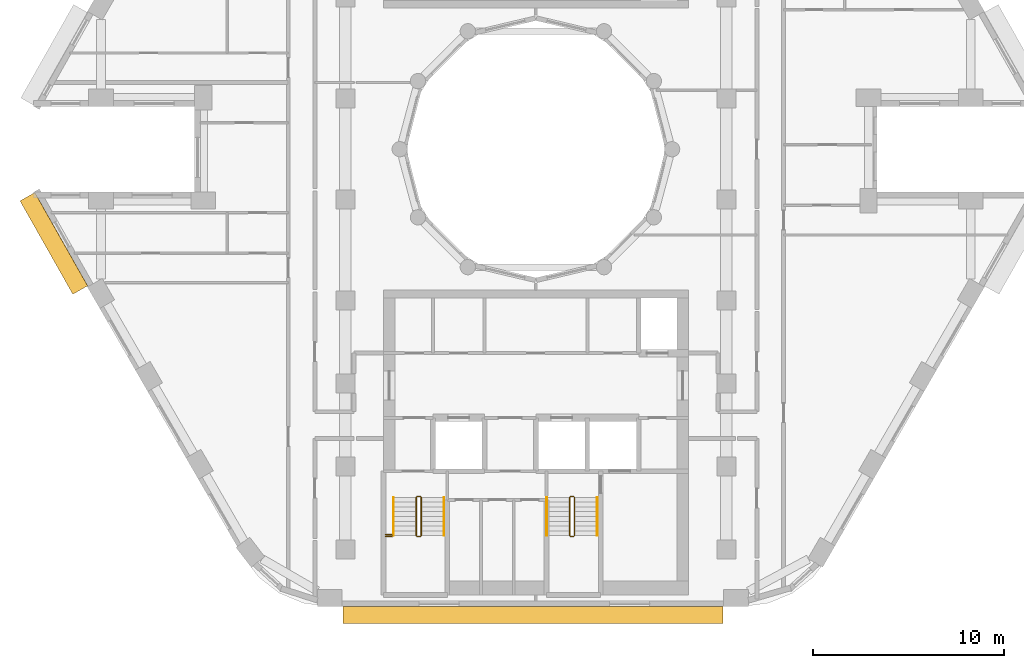
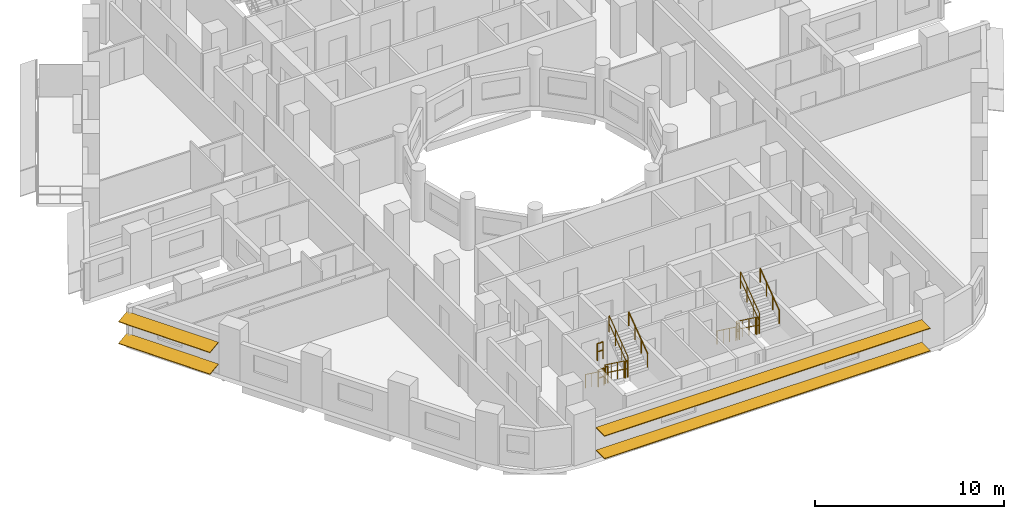
# One storey, part 11 of 13: 14 railings, 4 shading devices.
"""IFC4 building model written with IfcOpenShell, lengths in metres."""

from ifc_helpers import new_model, si_unit, direction, frame, origin, origin_2d, place, context, subcontext, project, spatial, rectangle, circle, extrude, material, material_profile, profile_set, type_object, element, save


model = new_model("IFC4")

# Units and contexts
model_context = context("Model", 3, precision=1e-05, world=origin(), true_north=direction((0.0, 1.0)))
body_context = subcontext(model_context, "Body", "Model", "MODEL_VIEW")
ifc_project = project(units=[si_unit("LENGTHUNIT", "METRE"), si_unit("AREAUNIT", "SQUARE_METRE"), si_unit("VOLUMEUNIT", "CUBIC_METRE"), si_unit("PLANEANGLEUNIT", "RADIAN"), si_unit("MASSUNIT", "GRAM", prefix="KILO")], contexts=[model_context])

# Site, building, storey
site_placement = place(None, origin())
site = spatial("IfcSite", under=ifc_project, at=site_placement, CompositionType="ELEMENT")
building_placement = place(site_placement, origin())
building = spatial("IfcBuilding", under=site, at=building_placement, Name="Nakaniwa Court", CompositionType="ELEMENT")
storey_placement = place(building_placement, frame((0.0, 0.0, 140.39990234375)))
storey = spatial("IfcBuildingStorey", under=building, at=storey_placement, Name="L36", CompositionType="ELEMENT", Elevation=140.39990234375)

# Shading devices
ifc_material_1 = material(Name="Perforated charcoal ceramic louvre blade")
ifc_material_profile = material_profile(ifc_material_1, rectangle(XDim=0.89990234375, YDim=0.050048828125, at=origin_2d()), Name="Perforated ceramic louvre blade")
ifc_profile_set = profile_set([ifc_material_profile], Name="Perforated charcoal ceramic louvre blade")
shading_device_type = type_object("IfcShadingDeviceType", Name="Perforated ceramic louvre blade", PredefinedType="JALOUSIE", material=ifc_profile_set)
for number, where, z_axis, x_axis, name in (
    (1, (53.31689453125, 77.5078125, 0.550048828125), (0.49253187421, -0.870294405869, 0.0), (0.862649339692, 0.488205247786, 0.132256390257), "L36 perforated ceramic louvre blade w20 1"),
    (2, (53.31689453125, 77.5078125, 1.955810546875), (0.49253187421, -0.870294405869, 0.0), (0.862649339692, 0.488205247786, 0.132256390257), "L36 perforated ceramic louvre blade w20 2"),
):
    element("IfcShadingDevice", number, at=place(storey_placement, frame(where, z_axis=z_axis, x_axis=x_axis)), inside=storey, type_object=shading_device_type, Name=name, PredefinedType="JALOUSIE", context=body_context, shape_type="SweptSolid", body=[
        extrude(rectangle(XDim=0.89990234375, YDim=0.050048828125, at=origin_2d()), origin(), (0.0, 0.0, 1.0), 5.62646484375),
    ])
for number, where, z_axis, x_axis, name in (
    (3, (69.871337890625, 55.550048828125, 0.550048828125), (1.0, 0.0, 0.0), (0.0, 1.0, 0.0), "L36 perforated ceramic louvre blade w26 1"),
    (4, (69.871337890625, 55.550048828125, 2.01513671875), (1.0, 0.0, 0.0), (0.0, 1.0, 0.0), "L36 perforated ceramic louvre blade w26 2"),
):
    element("IfcShadingDevice", number, at=place(storey_placement, frame(where, z_axis=z_axis, x_axis=x_axis)), inside=storey, type_object=shading_device_type, Name=name, PredefinedType="JALOUSIE", context=body_context, shape_type="SweptSolid", body=[
        extrude(rectangle(XDim=0.89990234375, YDim=0.050048828125, at=origin_2d()), origin(), (0.0, 0.0, 1.0), 19.939697265625),
    ])

# Railings
ifc_material_2 = material(Name="Black powder coated steel guard", Category="steel")
railing_type_1 = type_object("IfcRailingType", Name="Stair guard 1100", PredefinedType="GUARDRAIL", material=ifc_material_2)
railing_1_placement = place(storey_placement, frame((73.72509765625, 61.72509765625, 0.183349609375)))
element("IfcRailing", 5, at=railing_1_placement, inside=storey, type_object=railing_type_1, Name="L36 ST3 stair guard 1", PredefinedType="GUARDRAIL", context=body_context, shape_type="SweptSolid", body=[
    extrude(circle(Radius=0.02392578125, at=origin_2d()), frame((0.0, 0.0, 1.076171875), z_axis=(0.0, -0.806379959628, 0.591397802423), x_axis=(1.0, 0.0, 0.0)), (0.0, 0.0, 1.0), 2.480224609375),
    extrude(circle(Radius=0.02392578125, at=origin_2d()), frame((0.0, 0.0, 0.550048828125), z_axis=(0.0, -0.806379959628, 0.591397802423), x_axis=(1.0, 0.0, 0.0)), (0.0, 0.0, 1.0), 2.480224609375),
    extrude(circle(Radius=0.02099609375, at=origin_2d()), origin(), (0.0, 0.0, 1.0), 1.052001953125),
    extrude(circle(Radius=0.02099609375, at=origin_2d()), frame((0.0, -0.666748046875, 0.489013671875)), (0.0, 0.0, 1.0), 1.052001953125),
    extrude(circle(Radius=0.02099609375, at=origin_2d()), frame((0.0, -1.333251953125, 0.977783203125)), (0.0, 0.0, 1.0), 1.052001953125),
    extrude(circle(Radius=0.02099609375, at=origin_2d()), frame((0.0, -2.0, 1.466796875)), (0.0, 0.0, 1.0), 1.052001953125),
])
railing_2_placement = place(storey_placement, frame((73.77490234375, 59.675048828125, 1.650146484375)))
element("IfcRailing", 6, at=railing_2_placement, inside=storey, type_object=railing_type_1, Name="L36 ST3 stair guard 2", PredefinedType="GUARDRAIL", context=body_context, shape_type="SweptSolid", body=[
    extrude(circle(Radius=0.02392578125, at=origin_2d()), frame((0.0, 0.0, 1.076171875), z_axis=(1.0, 0.0, 0.0), x_axis=(0.0, 1.0, 0.0)), (0.0, 0.0, 1.0), 0.150146484375),
    extrude(circle(Radius=0.02392578125, at=origin_2d()), frame((0.0, 0.0, 0.550048828125), z_axis=(1.0, 0.0, 0.0), x_axis=(0.0, 1.0, 0.0)), (0.0, 0.0, 1.0), 0.150146484375),
    extrude(circle(Radius=0.02099609375, at=origin_2d()), origin(), (0.0, 0.0, 1.0), 1.052001953125),
    extrude(circle(Radius=0.02099609375, at=origin_2d()), frame((0.150146484375, 0.0, 0.0)), (0.0, 0.0, 1.0), 1.052001953125),
])
railing_3_placement = place(storey_placement, frame((73.97509765625, 59.72509765625, 1.83349609375)))
element("IfcRailing", 7, at=railing_3_placement, inside=storey, type_object=railing_type_1, Name="L36 ST3 stair guard 3", PredefinedType="GUARDRAIL", context=body_context, shape_type="SweptSolid", body=[
    extrude(circle(Radius=0.02392578125, at=origin_2d()), frame((0.0, 0.0, 1.076171875), z_axis=(0.0, 0.806426902644, 0.591333789573), x_axis=(-1.0, 0.0, 0.0)), (0.0, 0.0, 1.0), 2.47998046875),
    extrude(circle(Radius=0.02392578125, at=origin_2d()), frame((0.0, 0.0, 0.550048828125), z_axis=(0.0, 0.806426902644, 0.591333789573), x_axis=(-1.0, 0.0, 0.0)), (0.0, 0.0, 1.0), 2.47998046875),
    extrude(circle(Radius=0.02099609375, at=origin_2d()), origin(), (0.0, 0.0, 1.0), 1.052001953125),
    extrude(circle(Radius=0.02099609375, at=origin_2d()), frame((0.0, 0.666748046875, 0.48876953125)), (0.0, 0.0, 1.0), 1.052001953125),
    extrude(circle(Radius=0.02099609375, at=origin_2d()), frame((0.0, 1.333251953125, 0.977783203125)), (0.0, 0.0, 1.0), 1.052001953125),
    extrude(circle(Radius=0.02099609375, at=origin_2d()), frame((0.0, 2.0, 1.466552734375)), (0.0, 0.0, 1.0), 1.052001953125),
])
railing_4_placement = place(storey_placement, frame((73.77490234375, 61.77490234375, 0.0)))
element("IfcRailing", 8, at=railing_4_placement, inside=storey, type_object=railing_type_1, Name="L36 ST3 stair guard 4", PredefinedType="GUARDRAIL", context=body_context, shape_type="SweptSolid", body=[
    extrude(circle(Radius=0.02392578125, at=origin_2d()), frame((0.0, 0.0, 1.076171875), z_axis=(1.0, 0.0, 0.0), x_axis=(0.0, 1.0, 0.0)), (0.0, 0.0, 1.0), 0.150146484375),
    extrude(circle(Radius=0.02392578125, at=origin_2d()), frame((0.0, 0.0, 0.550048828125), z_axis=(1.0, 0.0, 0.0), x_axis=(0.0, 1.0, 0.0)), (0.0, 0.0, 1.0), 0.150146484375),
    extrude(circle(Radius=0.02099609375, at=origin_2d()), origin(), (0.0, 0.0, 1.0), 1.052001953125),
    extrude(circle(Radius=0.02099609375, at=origin_2d()), frame((0.150146484375, 0.0, 0.0)), (0.0, 0.0, 1.0), 1.052001953125),
])
for number, where, name in (
    (9, (72.125, 59.675048828125, 1.650146484375), "L36 ST3 landing side guard 1W"),
    (10, (72.125, 59.77490234375, 3.300048828125), "L36 ST3 floor edge guard 1W"),
):
    element("IfcRailing", number, at=place(storey_placement, frame(where)), inside=storey, type_object=railing_type_1, Name=name, PredefinedType="GUARDRAIL", context=body_context, shape_type="SweptSolid", body=[
        extrude(circle(Radius=0.02392578125, at=origin_2d()), frame((0.0, 0.0, 1.076171875), z_axis=(1.0, 0.0, 0.0), x_axis=(0.0, 1.0, 0.0)), (0.0, 0.0, 1.0), 0.35009765625),
        extrude(circle(Radius=0.02392578125, at=origin_2d()), frame((0.0, 0.0, 0.550048828125), z_axis=(1.0, 0.0, 0.0), x_axis=(0.0, 1.0, 0.0)), (0.0, 0.0, 1.0), 0.35009765625),
        extrude(circle(Radius=0.02099609375, at=origin_2d()), origin(), (0.0, 0.0, 1.0), 1.052001953125),
        extrude(circle(Radius=0.02099609375, at=origin_2d()), frame((0.35009765625, 0.0, 0.0)), (0.0, 0.0, 1.0), 1.052001953125),
    ])
railing_5_placement = place(storey_placement, frame((81.77490234375, 61.72509765625, 0.183349609375)))
element("IfcRailing", 11, at=railing_5_placement, inside=storey, type_object=railing_type_1, Name="L36 ST4 stair guard 1", PredefinedType="GUARDRAIL", context=body_context, shape_type="SweptSolid", body=[
    extrude(circle(Radius=0.02392578125, at=origin_2d()), frame((0.0, 0.0, 1.076171875), z_axis=(0.0, -0.806379959628, 0.591397802423), x_axis=(1.0, 0.0, 0.0)), (0.0, 0.0, 1.0), 2.480224609375),
    extrude(circle(Radius=0.02392578125, at=origin_2d()), frame((0.0, 0.0, 0.550048828125), z_axis=(0.0, -0.806379959628, 0.591397802423), x_axis=(1.0, 0.0, 0.0)), (0.0, 0.0, 1.0), 2.480224609375),
    extrude(circle(Radius=0.02099609375, at=origin_2d()), origin(), (0.0, 0.0, 1.0), 1.052001953125),
    extrude(circle(Radius=0.02099609375, at=origin_2d()), frame((0.0, -0.666748046875, 0.489013671875)), (0.0, 0.0, 1.0), 1.052001953125),
    extrude(circle(Radius=0.02099609375, at=origin_2d()), frame((0.0, -1.333251953125, 0.977783203125)), (0.0, 0.0, 1.0), 1.052001953125),
    extrude(circle(Radius=0.02099609375, at=origin_2d()), frame((0.0, -2.0, 1.466796875)), (0.0, 0.0, 1.0), 1.052001953125),
])
railing_6_placement = place(storey_placement, frame((81.824951171875, 59.675048828125, 1.650146484375)))
element("IfcRailing", 12, at=railing_6_placement, inside=storey, type_object=railing_type_1, Name="L36 ST4 stair guard 2", PredefinedType="GUARDRAIL", context=body_context, shape_type="SweptSolid", body=[
    extrude(circle(Radius=0.02392578125, at=origin_2d()), frame((0.0, 0.0, 1.076171875), z_axis=(1.0, 0.0, 0.0), x_axis=(0.0, 1.0, 0.0)), (0.0, 0.0, 1.0), 0.150146484375),
    extrude(circle(Radius=0.02392578125, at=origin_2d()), frame((0.0, 0.0, 0.550048828125), z_axis=(1.0, 0.0, 0.0), x_axis=(0.0, 1.0, 0.0)), (0.0, 0.0, 1.0), 0.150146484375),
    extrude(circle(Radius=0.02099609375, at=origin_2d()), origin(), (0.0, 0.0, 1.0), 1.052001953125),
    extrude(circle(Radius=0.02099609375, at=origin_2d()), frame((0.150146484375, 0.0, 0.0)), (0.0, 0.0, 1.0), 1.052001953125),
])
railing_7_placement = place(storey_placement, frame((82.02490234375, 59.72509765625, 1.83349609375)))
element("IfcRailing", 13, at=railing_7_placement, inside=storey, type_object=railing_type_1, Name="L36 ST4 stair guard 3", PredefinedType="GUARDRAIL", context=body_context, shape_type="SweptSolid", body=[
    extrude(circle(Radius=0.02392578125, at=origin_2d()), frame((0.0, 0.0, 1.076171875), z_axis=(0.0, 0.806426902644, 0.591333789573), x_axis=(-1.0, 0.0, 0.0)), (0.0, 0.0, 1.0), 2.47998046875),
    extrude(circle(Radius=0.02392578125, at=origin_2d()), frame((0.0, 0.0, 0.550048828125), z_axis=(0.0, 0.806426902644, 0.591333789573), x_axis=(-1.0, 0.0, 0.0)), (0.0, 0.0, 1.0), 2.47998046875),
    extrude(circle(Radius=0.02099609375, at=origin_2d()), origin(), (0.0, 0.0, 1.0), 1.052001953125),
    extrude(circle(Radius=0.02099609375, at=origin_2d()), frame((0.0, 0.666748046875, 0.48876953125)), (0.0, 0.0, 1.0), 1.052001953125),
    extrude(circle(Radius=0.02099609375, at=origin_2d()), frame((0.0, 1.333251953125, 0.977783203125)), (0.0, 0.0, 1.0), 1.052001953125),
    extrude(circle(Radius=0.02099609375, at=origin_2d()), frame((0.0, 2.0, 1.466552734375)), (0.0, 0.0, 1.0), 1.052001953125),
])
railing_8_placement = place(storey_placement, frame((81.824951171875, 61.77490234375, 0.0)))
element("IfcRailing", 14, at=railing_8_placement, inside=storey, type_object=railing_type_1, Name="L36 ST4 stair guard 4", PredefinedType="GUARDRAIL", context=body_context, shape_type="SweptSolid", body=[
    extrude(circle(Radius=0.02392578125, at=origin_2d()), frame((0.0, 0.0, 1.076171875), z_axis=(1.0, 0.0, 0.0), x_axis=(0.0, 1.0, 0.0)), (0.0, 0.0, 1.0), 0.150146484375),
    extrude(circle(Radius=0.02392578125, at=origin_2d()), frame((0.0, 0.0, 0.550048828125), z_axis=(1.0, 0.0, 0.0), x_axis=(0.0, 1.0, 0.0)), (0.0, 0.0, 1.0), 0.150146484375),
    extrude(circle(Radius=0.02099609375, at=origin_2d()), origin(), (0.0, 0.0, 1.0), 1.052001953125),
    extrude(circle(Radius=0.02099609375, at=origin_2d()), frame((0.150146484375, 0.0, 0.0)), (0.0, 0.0, 1.0), 1.052001953125),
])
ifc_material_3 = material(Name="Black powder coated steel handrail", Category="steel")
railing_type_2 = type_object("IfcRailingType", Name="Stair handrail 900", PredefinedType="HANDRAIL", material=ifc_material_3)
railing_9_placement = place(storey_placement, frame((72.52490234375, 61.72509765625, 0.183349609375)))
element("IfcRailing", 15, at=railing_9_placement, inside=storey, type_object=railing_type_2, Name="L36 ST3 stair handrail 1", PredefinedType="HANDRAIL", context=body_context, shape_type="SweptSolid", body=[
    extrude(circle(Radius=0.02392578125, at=origin_2d()), frame((0.0, 0.0, 0.8759765625), z_axis=(0.0, -0.806379959628, 0.591397802423), x_axis=(1.0, 0.0, 0.0)), (0.0, 0.0, 1.0), 2.480224609375),
    extrude(circle(Radius=0.02099609375, at=origin_2d()), origin(), (0.0, 0.0, 1.0), 0.851806640625),
    extrude(circle(Radius=0.02099609375, at=origin_2d()), frame((0.0, -0.666748046875, 0.489013671875)), (0.0, 0.0, 1.0), 0.851806640625),
    extrude(circle(Radius=0.02099609375, at=origin_2d()), frame((0.0, -1.333251953125, 0.977783203125)), (0.0, 0.0, 1.0), 0.851806640625),
    extrude(circle(Radius=0.02099609375, at=origin_2d()), frame((0.0, -2.0, 1.466796875)), (0.0, 0.0, 1.0), 0.851806640625),
])
railing_10_placement = place(storey_placement, frame((75.175048828125, 59.72509765625, 1.83349609375)))
element("IfcRailing", 16, at=railing_10_placement, inside=storey, type_object=railing_type_2, Name="L36 ST3 stair handrail 2", PredefinedType="HANDRAIL", context=body_context, shape_type="SweptSolid", body=[
    extrude(circle(Radius=0.02392578125, at=origin_2d()), frame((0.0, 0.0, 0.8759765625), z_axis=(0.0, 0.806426902644, 0.591333789573), x_axis=(-1.0, 0.0, 0.0)), (0.0, 0.0, 1.0), 2.47998046875),
    extrude(circle(Radius=0.02099609375, at=origin_2d()), origin(), (0.0, 0.0, 1.0), 0.851806640625),
    extrude(circle(Radius=0.02099609375, at=origin_2d()), frame((0.0, 0.666748046875, 0.48876953125)), (0.0, 0.0, 1.0), 0.851806640625),
    extrude(circle(Radius=0.02099609375, at=origin_2d()), frame((0.0, 1.333251953125, 0.977783203125)), (0.0, 0.0, 1.0), 0.851806640625),
    extrude(circle(Radius=0.02099609375, at=origin_2d()), frame((0.0, 2.0, 1.466552734375)), (0.0, 0.0, 1.0), 0.851806640625),
])
railing_11_placement = place(storey_placement, frame((80.574951171875, 61.72509765625, 0.183349609375)))
element("IfcRailing", 17, at=railing_11_placement, inside=storey, type_object=railing_type_2, Name="L36 ST4 stair handrail 1", PredefinedType="HANDRAIL", context=body_context, shape_type="SweptSolid", body=[
    extrude(circle(Radius=0.02392578125, at=origin_2d()), frame((0.0, 0.0, 0.8759765625), z_axis=(0.0, -0.806379959628, 0.591397802423), x_axis=(1.0, 0.0, 0.0)), (0.0, 0.0, 1.0), 2.480224609375),
    extrude(circle(Radius=0.02099609375, at=origin_2d()), origin(), (0.0, 0.0, 1.0), 0.851806640625),
    extrude(circle(Radius=0.02099609375, at=origin_2d()), frame((0.0, -0.666748046875, 0.489013671875)), (0.0, 0.0, 1.0), 0.851806640625),
    extrude(circle(Radius=0.02099609375, at=origin_2d()), frame((0.0, -1.333251953125, 0.977783203125)), (0.0, 0.0, 1.0), 0.851806640625),
    extrude(circle(Radius=0.02099609375, at=origin_2d()), frame((0.0, -2.0, 1.466796875)), (0.0, 0.0, 1.0), 0.851806640625),
])
railing_12_placement = place(storey_placement, frame((83.22509765625, 59.72509765625, 1.83349609375)))
element("IfcRailing", 18, at=railing_12_placement, inside=storey, type_object=railing_type_2, Name="L36 ST4 stair handrail 2", PredefinedType="HANDRAIL", context=body_context, shape_type="SweptSolid", body=[
    extrude(circle(Radius=0.02392578125, at=origin_2d()), frame((0.0, 0.0, 0.8759765625), z_axis=(0.0, 0.806426902644, 0.591333789573), x_axis=(-1.0, 0.0, 0.0)), (0.0, 0.0, 1.0), 2.47998046875),
    extrude(circle(Radius=0.02099609375, at=origin_2d()), origin(), (0.0, 0.0, 1.0), 0.851806640625),
    extrude(circle(Radius=0.02099609375, at=origin_2d()), frame((0.0, 0.666748046875, 0.48876953125)), (0.0, 0.0, 1.0), 0.851806640625),
    extrude(circle(Radius=0.02099609375, at=origin_2d()), frame((0.0, 1.333251953125, 0.977783203125)), (0.0, 0.0, 1.0), 0.851806640625),
    extrude(circle(Radius=0.02099609375, at=origin_2d()), frame((0.0, 2.0, 1.466552734375)), (0.0, 0.0, 1.0), 0.851806640625),
])

save(model, "model.ifc")
